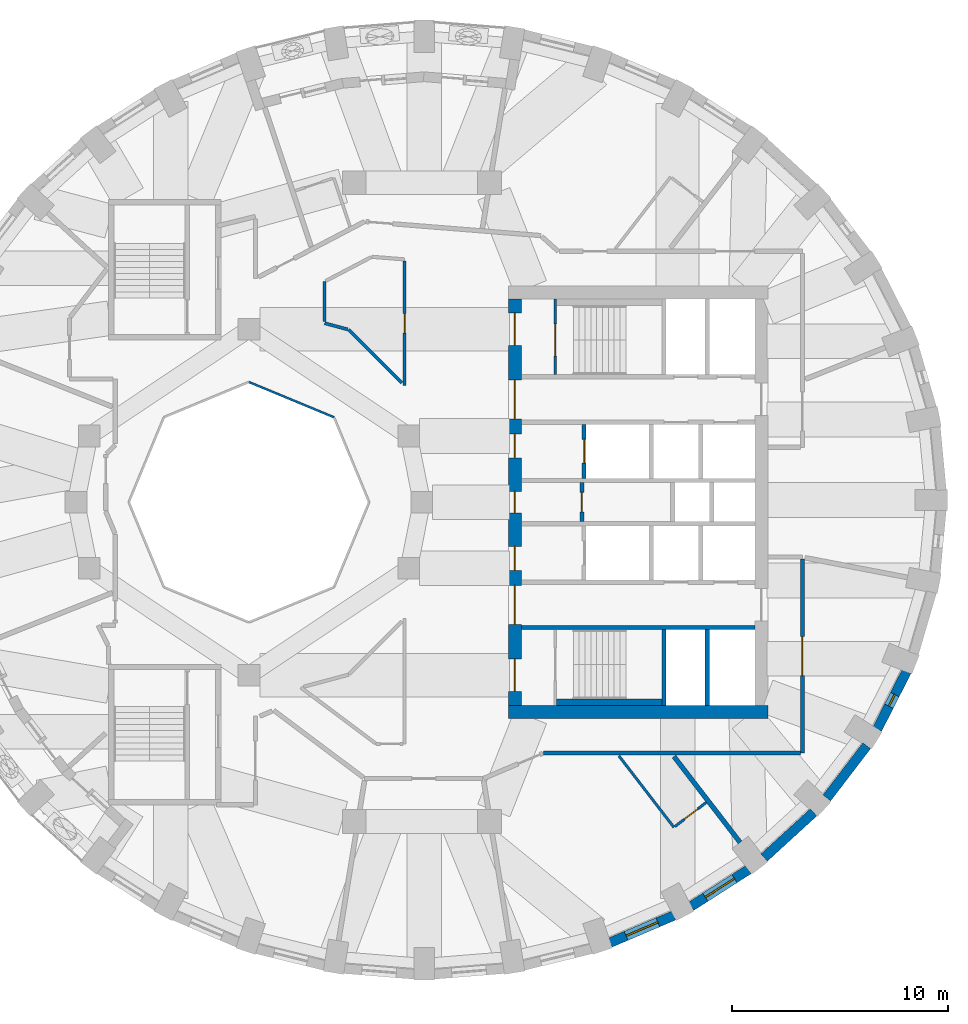
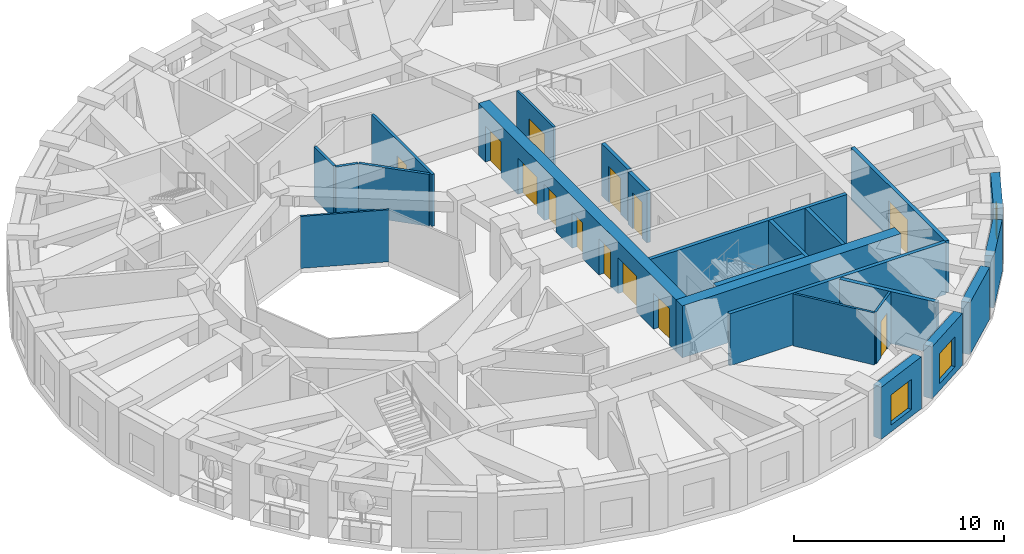
# One storey, part 5 of 11: 24 walls, 13 doors, 3 windows, 16 openings.
"""IFC4 building model written with IfcOpenShell, lengths in metres."""

from ifc_helpers import new_model, si_unit, direction, frame, frame_2d, origin, place, context, subcontext, project, spatial, rectangle, extrude, material, layer, layer_set, type_object, element, fill, save


model = new_model("IFC4")

# Units and contexts
model_context = context("Model", 3, precision=1e-05, world=origin(), true_north=direction((0.0, 1.0)))
body_context = subcontext(model_context, "Body", "Model", "MODEL_VIEW")
ifc_project = project(units=[si_unit("LENGTHUNIT", "METRE"), si_unit("AREAUNIT", "SQUARE_METRE"), si_unit("VOLUMEUNIT", "CUBIC_METRE"), si_unit("PLANEANGLEUNIT", "RADIAN"), si_unit("MASSUNIT", "GRAM", prefix="KILO")], contexts=[model_context])

# Site, building, storey
site_placement = place(None, origin())
site = spatial("IfcSite", under=ifc_project, at=site_placement, CompositionType="ELEMENT")
building_placement = place(site_placement, origin())
building = spatial("IfcBuilding", under=site, at=building_placement, Name="Taillehof Tower", CompositionType="ELEMENT")
storey_placement = place(building_placement, frame((0.0, 0.0, 178.10009765625)))
storey = spatial("IfcBuildingStorey", under=building, at=storey_placement, Name="L50", CompositionType="ELEMENT", Elevation=178.10009765625)

# Wall
ifc_material_1 = material(Name="Fire-resisting glass in steel frame", Category="steel")
ifc_layer_1 = layer(ifc_material_1, 0.10009765625)
ifc_layer_set_1 = layer_set([ifc_layer_1], Name="Atrium fire-resisting screen EI 60 100")
wall_type_1 = type_object("IfcWallType", Name="Atrium fire-resisting screen EI 60 100", PredefinedType="PARTITIONING", material=ifc_layer_set_1)
wall_1_placement = place(storey_placement, frame((-8.0, 5.55419921875, 0.0), z_axis=(0.0, 0.0, 1.0), x_axis=(0.923860025149, -0.382730523909, 0.0)))
element("IfcWall", 1, at=wall_1_placement, inside=storey, type_object=wall_type_1, Name="Atrium screen", PredefinedType="PARTITIONING", context=body_context, shape_type="SweptSolid", body=[
    extrude(rectangle(XDim=4.2509765625, YDim=0.10009765625, at=frame_2d((2.12548828125, 0.0))), origin(), (0.0, 0.0, 1.0), 3.02001953125),
])

# Wall, opening, window
ifc_material_2 = material(Name="Brick masonry", Category="masonry")
ifc_layer_2 = layer(ifc_material_2, 0.449951171875)
ifc_layer_set_2 = layer_set([ifc_layer_2], Name="Brick infill wall 450")
wall_type_2 = type_object("IfcWallType", Name="Brick infill wall 450", PredefinedType="SOLIDWALL", material=ifc_layer_set_2)
wall_2_placement = place(storey_placement, frame((8.706298828125, -20.37451171875, 0.0), z_axis=(0.0, 0.0, 1.0), x_axis=(0.91981046949, 0.392362969986, 0.0)))
wall_2 = element("IfcWall", 2, at=wall_2_placement, inside=storey, type_object=wall_type_2, Name="Brick wall L50 bay 30", PredefinedType="SOLIDWALL", context=body_context, shape_type="SweptSolid", body=[
    extrude(rectangle(XDim=3.20068359375, YDim=0.449951171875, at=frame_2d((1.600341796875, 0.0))), origin(), (0.0, 0.0, 1.0), 3.02001953125),
])
opening_1_placement = place(wall_2_placement, frame((0.80029296875, 0.0, 0.39990234375)))
opening_1 = element("IfcOpeningElement", 3, at=opening_1_placement, cuts=wall_2, Name="Opening W3", PredefinedType="OPENING", context=body_context, shape_type="SweptSolid", body=[
    extrude(rectangle(XDim=1.60009765625, YDim=1.75, at=frame_2d((0.800048828125, 0.875))), frame((0.0, 0.23486328125, 0.0), z_axis=(0.0, -1.0, 0.0), x_axis=(1.0, 0.0, 0.0)), (0.0, 0.0, 1.0), 0.469970703125),
])
ifc_material_3 = material(Name="Aluminium window frame with clear double glazing", Category="aluminium")
window_type_1 = type_object("IfcWindowType", Name="Deep-set window 1600x1750", PartitioningType="SINGLE_PANEL", PredefinedType="WINDOW", material=ifc_material_3)
window_1_placement = place(opening_1_placement, origin())
window_1 = element("IfcWindow", 4, at=window_1_placement, inside=storey, type_object=window_type_1, Name="W3", OverallHeight=1.75, OverallWidth=1.60009765625, PartitioningType="SINGLE_PANEL", PredefinedType="WINDOW", context=body_context, shape_type="SweptSolid", body=[
    extrude(rectangle(XDim=1.60009765625, YDim=1.75, at=frame_2d((0.800048828125, 0.875))), frame((0.0, 0.034912109375, 0.0), z_axis=(0.0, -1.0, 0.0), x_axis=(1.0, 0.0, 0.0)), (0.0, 0.0, 1.0), 0.06005859375),
])
fill(opening_1, window_1)

wall_3_placement = place(storey_placement, frame((12.454833984375, -18.693115234375, 0.0), z_axis=(0.0, 0.0, 1.0), x_axis=(0.842065914439, 0.539374633943, 0.0)))
wall_3 = element("IfcWall", 5, at=wall_3_placement, inside=storey, type_object=wall_type_2, Name="Brick wall L50 bay 31", PredefinedType="SOLIDWALL", context=body_context, shape_type="SweptSolid", body=[
    extrude(rectangle(XDim=3.1513671875, YDim=0.449951171875, at=frame_2d((1.57568359375, 0.0))), origin(), (0.0, 0.0, 1.0), 3.02001953125),
])
opening_2_placement = place(wall_3_placement, frame((0.775634765625, 0.0, 0.39990234375)))
opening_2 = element("IfcOpeningElement", 6, at=opening_2_placement, cuts=wall_3, Name="Opening W3", PredefinedType="OPENING", context=body_context, shape_type="SweptSolid", body=[
    extrude(rectangle(XDim=1.60009765625, YDim=1.75, at=frame_2d((0.800048828125, 0.875))), frame((0.0, 0.23486328125, 0.0), z_axis=(0.0, -1.0, 0.0), x_axis=(1.0, 0.0, 0.0)), (0.0, 0.0, 1.0), 0.469970703125),
])
window_2_placement = place(opening_2_placement, origin())
window_2 = element("IfcWindow", 7, at=window_2_placement, inside=storey, type_object=window_type_1, Name="W3", OverallHeight=1.75, OverallWidth=1.60009765625, PartitioningType="SINGLE_PANEL", PredefinedType="WINDOW", context=body_context, shape_type="SweptSolid", body=[
    extrude(rectangle(XDim=1.60009765625, YDim=1.75, at=frame_2d((0.800048828125, 0.875))), frame((0.0, 0.034912109375, 0.0), z_axis=(0.0, -1.0, 0.0), x_axis=(1.0, 0.0, 0.0)), (0.0, 0.0, 1.0), 0.06005859375),
])
fill(opening_2, window_2)

# Walls
wall_4_placement = place(storey_placement, frame((15.830078125, -16.438720703125, 0.0), z_axis=(0.0, 0.0, 1.0), x_axis=(0.737808755941, 0.675009807082, 0.0)))
element("IfcWall", 8, at=wall_4_placement, inside=storey, type_object=wall_type_2, Name="Brick wall L50 bay 32", PredefinedType="SOLIDWALL", context=body_context, shape_type="SweptSolid", body=[
    extrude(rectangle(XDim=3.094482421875, YDim=0.449951171875, at=frame_2d((1.54736328125, 0.0))), origin(), (0.0, 0.0, 1.0), 3.02001953125),
])
wall_5_placement = place(storey_placement, frame((18.72802734375, -13.6787109375, 0.0), z_axis=(0.0, 0.0, 1.0), x_axis=(0.607817056371, 0.794077090706, 0.0)))
element("IfcWall", 9, at=wall_5_placement, inside=storey, type_object=wall_type_2, Name="Brick wall L50 bay 33", PredefinedType="SOLIDWALL", context=body_context, shape_type="SweptSolid", body=[
    extrude(rectangle(XDim=3.037109375, YDim=0.449951171875, at=frame_2d((1.5185546875, 0.0))), origin(), (0.0, 0.0, 1.0), 3.02001953125),
])

# Wall, opening, window
wall_6_placement = place(storey_placement, frame((21.059326171875, -10.4970703125, 0.0), z_axis=(0.0, 0.0, 1.0), x_axis=(0.454133999889, 0.890933392653, 0.0)))
wall_6 = element("IfcWall", 10, at=wall_6_placement, inside=storey, type_object=wall_type_2, Name="Brick wall L50 bay 34", PredefinedType="SOLIDWALL", context=body_context, shape_type="SweptSolid", body=[
    extrude(rectangle(XDim=2.98583984375, YDim=0.449951171875, at=frame_2d((1.492919921875, 0.0))), origin(), (0.0, 0.0, 1.0), 3.02001953125),
])
opening_3_placement = place(wall_6_placement, frame((1.19287109375, 0.0, 0.39990234375)))
opening_3 = element("IfcOpeningElement", 11, at=opening_3_placement, cuts=wall_6, Name="Opening W6", PredefinedType="OPENING", context=body_context, shape_type="SweptSolid", body=[
    extrude(rectangle(XDim=0.60009765625, YDim=1.75, at=frame_2d((0.300048828125, 0.875))), frame((0.0, 0.23486328125, 0.0), z_axis=(0.0, -1.0, 0.0), x_axis=(1.0, 0.0, 0.0)), (0.0, 0.0, 1.0), 0.469970703125),
])
ifc_material_4 = material(Name="Aluminium window frame with clear double glazing", Category="aluminium")
window_type_2 = type_object("IfcWindowType", Name="Slot window 600x1750", PartitioningType="SINGLE_PANEL", PredefinedType="WINDOW", material=ifc_material_4)
window_3_placement = place(opening_3_placement, origin())
window_3 = element("IfcWindow", 12, at=window_3_placement, inside=storey, type_object=window_type_2, Name="W6", OverallHeight=1.75, OverallWidth=0.60009765625, PartitioningType="SINGLE_PANEL", PredefinedType="WINDOW", context=body_context, shape_type="SweptSolid", body=[
    extrude(rectangle(XDim=0.60009765625, YDim=1.75, at=frame_2d((0.300048828125, 0.875))), frame((0.0, 0.034912109375, 0.0), z_axis=(0.0, -1.0, 0.0), x_axis=(1.0, 0.0, 0.0)), (0.0, 0.0, 1.0), 0.06005859375),
])
fill(opening_3, window_3)

# Wall, opening, door
ifc_material_5 = material(Name="Calcium silicate masonry", Category="masonry")
ifc_layer_3 = layer(ifc_material_5, 0.199951171875)
ifc_layer_set_3 = layer_set([ifc_layer_3], Name="Compartment wall calcium silicate 200")
wall_type_3 = type_object("IfcWallType", Name="Compartment wall calcium silicate 200", PredefinedType="PARTITIONING", material=ifc_layer_set_3)
wall_7_placement = place(storey_placement, frame((7.39990234375, -0.89990234375, 0.0), z_axis=(0.0, 0.0, 1.0), x_axis=(0.0, 1.0, 0.0)))
wall_7 = element("IfcWall", 13, at=wall_7_placement, inside=storey, type_object=wall_type_3, Name="Compartment wall FW", PredefinedType="PARTITIONING", context=body_context, shape_type="SweptSolid", body=[
    extrude(rectangle(XDim=1.7998046875, YDim=0.199951171875, at=frame_2d((0.89990234375, 0.0))), origin(), (0.0, 0.0, 1.0), 3.02001953125),
])
opening_4_placement = place(wall_7_placement, frame((0.449951171875, 0.0, 0.0)))
opening_4 = element("IfcOpeningElement", 14, at=opening_4_placement, cuts=wall_7, Name="Opening D5014", PredefinedType="OPENING", context=body_context, shape_type="SweptSolid", body=[
    extrude(rectangle(XDim=0.89990234375, YDim=2.10009765625, at=frame_2d((0.449951171875, 1.050048828125))), frame((0.0, 0.10986328125, 0.0), z_axis=(0.0, -1.0, 0.0), x_axis=(1.0, 0.0, 0.0)), (0.0, 0.0, 1.0), 0.219970703125),
])
ifc_material_6 = material(Name="Steel-faced fire door", Category="steel")
door_type_1 = type_object("IfcDoorType", Name="Riser and service room door 900x2100", OperationType="SINGLE_SWING_LEFT", PredefinedType="DOOR", material=ifc_material_6)
door_1_placement = place(opening_4_placement, origin())
door_1 = element("IfcDoor", 15, at=door_1_placement, inside=storey, type_object=door_type_1, Name="Door Housekeeping Store", OperationType="SINGLE_SWING_RIGHT", OverallHeight=2.10009765625, OverallWidth=0.89990234375, PredefinedType="DOOR", context=body_context, shape_type="SweptSolid", body=[
    extrude(rectangle(XDim=0.89990234375, YDim=2.10009765625, at=frame_2d((0.449951171875, 1.050048828125))), frame((0.0, 0.02490234375, 0.0), z_axis=(0.0, -1.0, 0.0), x_axis=(1.0, 0.0, 0.0)), (0.0, 0.0, 1.0), 0.050048828125),
])
fill(opening_4, door_1)

ifc_material_7 = material(Name="Gypsum board on steel studs, two layers each side", Category="steel")
ifc_layer_4 = layer(ifc_material_7, 0.199951171875)
ifc_layer_set_4 = layer_set([ifc_layer_4], Name="Compartment wall corridor 200")
wall_type_4 = type_object("IfcWallType", Name="Compartment wall corridor 200", PredefinedType="PARTITIONING", material=ifc_layer_set_4)
wall_8_placement = place(storey_placement, frame((17.60009765625, -2.637939453125, 0.0), z_axis=(0.0, 0.0, 1.0), x_axis=(0.0, -1.0, 0.0)))
wall_8 = element("IfcWall", 16, at=wall_8_placement, inside=storey, type_object=wall_type_4, Name="Compartment wall", PredefinedType="PARTITIONING", context=body_context, shape_type="SweptSolid", body=[
    extrude(rectangle(XDim=8.962158203125, YDim=0.199951171875, at=frame_2d((4.48095703125, 0.0))), origin(), (0.0, 0.0, 1.0), 3.02001953125),
])
opening_5_placement = place(wall_8_placement, frame((3.5810546875, 0.0, 0.0)))
opening_5 = element("IfcOpeningElement", 17, at=opening_5_placement, cuts=wall_8, Name="Opening D5052", PredefinedType="OPENING", context=body_context, shape_type="SweptSolid", body=[
    extrude(rectangle(XDim=1.800048828125, YDim=2.10009765625, at=frame_2d((0.89990234375, 1.050048828125))), frame((0.0, 0.10986328125, 0.0), z_axis=(0.0, -1.0, 0.0), x_axis=(1.0, 0.0, 0.0)), (0.0, 0.0, 1.0), 0.219970703125),
])
ifc_material_8 = material(Name="Timber door leaf in steel frame", Category="steel")
door_type_2 = type_object("IfcDoorType", Name="Lounge and meeting room double door EI 30 1800 x 2100", OperationType="SINGLE_SWING_LEFT", PredefinedType="DOOR", material=ifc_material_8)
door_2_placement = place(opening_5_placement, origin())
door_2 = element("IfcDoor", 18, at=door_2_placement, inside=storey, type_object=door_type_2, Name="D5052", OperationType="DOUBLE_DOOR_SINGLE_SWING", OverallHeight=2.10009765625, OverallWidth=1.800048828125, PredefinedType="DOOR", context=body_context, shape_type="SweptSolid", body=[
    extrude(rectangle(XDim=1.800048828125, YDim=2.10009765625, at=frame_2d((0.89990234375, 1.050048828125))), frame((0.0, 0.02490234375, 0.0), z_axis=(0.0, -1.0, 0.0), x_axis=(1.0, 0.0, 0.0)), (0.0, 0.0, 1.0), 0.050048828125),
])
fill(opening_5, door_2)

# Walls
wall_9_placement = place(storey_placement, frame((17.5, -11.60009765625, 0.0), z_axis=(0.0, 0.0, 1.0), x_axis=(-1.0, 0.0, 0.0)))
element("IfcWall", 19, at=wall_9_placement, inside=storey, type_object=wall_type_4, Name="Compartment wall", PredefinedType="PARTITIONING", context=body_context, shape_type="SweptSolid", body=[
    extrude(rectangle(XDim=11.876220703125, YDim=0.199951171875, at=frame_2d((5.93798828125, 0.0))), origin(), (0.0, 0.0, 1.0), 3.02001953125),
])
ifc_material_9 = material(Name="Gypsum board on double steel studs with mineral wool", Category="steel")
ifc_layer_5 = layer(ifc_material_9, 0.219970703125)
ifc_layer_set_5 = layer_set([ifc_layer_5], Name="Compartment wall guest room 220")
wall_type_5 = type_object("IfcWallType", Name="Compartment wall guest room 220", PredefinedType="PARTITIONING", material=ifc_layer_set_5)
wall_10_placement = place(storey_placement, frame((14.7158203125, -15.7373046875, 0.0), z_axis=(0.0, 0.0, 1.0), x_axis=(-0.609986007715, 0.792412184657, 0.0)))
element("IfcWall", 20, at=wall_10_placement, inside=storey, type_object=wall_type_5, Name="Compartment wall", PredefinedType="PARTITIONING", context=body_context, shape_type="SweptSolid", body=[
    extrude(rectangle(XDim=5.0146484375, YDim=0.219970703125, at=frame_2d((2.50732421875, 0.0))), origin(), (0.0, 0.0, 1.0), 3.02001953125),
])
ifc_material_10 = material(Name="Calcium silicate masonry", Category="masonry")
ifc_layer_6 = layer(ifc_material_10, 0.300048828125)
ifc_layer_set_6 = layer_set([ifc_layer_6], Name="Compartment wall lining calcium silicate 300")
wall_type_6 = type_object("IfcWallType", Name="Compartment wall lining calcium silicate 300", PredefinedType="PARTITIONING", material=ifc_layer_set_6)
wall_11_placement = place(storey_placement, frame((6.219970703125, -9.25, 0.0), z_axis=(0.0, 0.0, 1.0), x_axis=(1.0, 0.0, 0.0)))
element("IfcWall", 21, at=wall_11_placement, inside=storey, type_object=wall_type_6, Name="Compartment wall FW", PredefinedType="PARTITIONING", context=body_context, shape_type="SweptSolid", body=[
    extrude(rectangle(XDim=4.880126953125, YDim=0.300048828125, at=frame_2d((2.43994140625, 0.0))), origin(), (0.0, 0.0, 1.0), 3.02001953125),
])

# Wall, opening, door
ifc_material_11 = material(Name="Gypsum board on steel studs, two layers each side", Category="steel")
ifc_layer_7 = layer(ifc_material_11, 0.14990234375)
ifc_layer_set_7 = layer_set([ifc_layer_7], Name="Compartment wall service room 150")
wall_type_7 = type_object("IfcWallType", Name="Compartment wall service room 150", PredefinedType="PARTITIONING", material=ifc_layer_set_7)
wall_12_placement = place(storey_placement, frame((-0.800048828125, 11.146728515625, 0.0), z_axis=(0.0, 0.0, 1.0), x_axis=(0.0, -1.0, 0.0)))
wall_12 = element("IfcWall", 22, at=wall_12_placement, inside=storey, type_object=wall_type_7, Name="Compartment wall", PredefinedType="PARTITIONING", context=body_context, shape_type="SweptSolid", body=[
    extrude(rectangle(XDim=5.76025390625, YDim=0.14990234375, at=frame_2d((2.880126953125, 0.0))), origin(), (0.0, 0.0, 1.0), 3.02001953125),
])
opening_6_placement = place(wall_12_placement, frame((2.43017578125, 0.0, 0.0)))
opening_6 = element("IfcOpeningElement", 23, at=opening_6_placement, cuts=wall_12, Name="Opening D5055", PredefinedType="OPENING", context=body_context, shape_type="SweptSolid", body=[
    extrude(rectangle(XDim=0.89990234375, YDim=2.10009765625, at=frame_2d((0.449951171875, 1.050048828125))), frame((0.0, 0.0849609375, 0.0), z_axis=(0.0, -1.0, 0.0), x_axis=(1.0, 0.0, 0.0)), (0.0, 0.0, 1.0), 0.169921875),
])
ifc_material_12 = material(Name="Timber door leaf in steel frame", Category="steel")
door_type_3 = type_object("IfcDoorType", Name="Service room door EI 30 900 x 2100", OperationType="SINGLE_SWING_LEFT", PredefinedType="DOOR", material=ifc_material_12)
door_3_placement = place(opening_6_placement, origin())
door_3 = element("IfcDoor", 24, at=door_3_placement, inside=storey, type_object=door_type_3, Name="D5055", OperationType="SINGLE_SWING_LEFT", OverallHeight=2.10009765625, OverallWidth=0.89990234375, PredefinedType="DOOR", context=body_context, shape_type="SweptSolid", body=[
    extrude(rectangle(XDim=0.89990234375, YDim=2.10009765625, at=frame_2d((0.449951171875, 1.050048828125))), frame((0.0, 0.02490234375, 0.0), z_axis=(0.0, -1.0, 0.0), x_axis=(1.0, 0.0, 0.0)), (0.0, 0.0, 1.0), 0.050048828125),
])
fill(opening_6, door_3)

# Walls
wall_13_placement = place(storey_placement, frame((-0.927490234375, 5.513916015625, 0.0), z_axis=(0.0, 0.0, 1.0), x_axis=(-0.707106781187, 0.707106781187, 0.0)))
element("IfcWall", 25, at=wall_13_placement, inside=storey, type_object=wall_type_7, Name="Compartment wall", PredefinedType="PARTITIONING", context=body_context, shape_type="SweptSolid", body=[
    extrude(rectangle(XDim=3.48681640625, YDim=0.14990234375, at=frame_2d((1.743408203125, 0.0))), origin(), (0.0, 0.0, 1.0), 3.02001953125),
])
wall_14_placement = place(storey_placement, frame((-3.431640625, 7.98974609375, 0.0), z_axis=(0.0, 0.0, 1.0), x_axis=(-0.965900750832, 0.258912609855, 0.0)))
element("IfcWall", 26, at=wall_14_placement, inside=storey, type_object=wall_type_7, Name="Compartment wall", PredefinedType="PARTITIONING", context=body_context, shape_type="SweptSolid", body=[
    extrude(rectangle(XDim=1.10595703125, YDim=0.14990234375, at=frame_2d((0.552978515625, 0.0))), origin(), (0.0, 0.0, 1.0), 3.02001953125),
])
wall_15_placement = place(storey_placement, frame((-4.5, 8.356201171875, 0.0), z_axis=(0.0, 0.0, 1.0), x_axis=(0.0, 1.0, 0.0)))
element("IfcWall", 27, at=wall_15_placement, inside=storey, type_object=wall_type_7, Name="Compartment wall", PredefinedType="PARTITIONING", context=body_context, shape_type="SweptSolid", body=[
    extrude(rectangle(XDim=1.84814453125, YDim=0.14990234375, at=frame_2d((0.924072265625, 0.0))), origin(), (0.0, 0.0, 1.0), 3.02001953125),
])

# Wall, openings, doors
ifc_material_13 = material(Name="Concrete C80/95", Category="concrete")
ifc_layer_8 = layer(ifc_material_13, 0.60009765625)
ifc_layer_set_8 = layer_set([ifc_layer_8], Name="Core wall C80/95 600")
wall_type_8 = type_object("IfcWallType", Name="Core wall C80/95 600", PredefinedType="SHEAR", material=ifc_layer_set_8)
wall_16_placement = place(storey_placement, frame((4.300048828125, -9.39990234375, 0.0), z_axis=(0.0, 0.0, 1.0), x_axis=(0.0, 1.0, 0.0)))
wall_16 = element("IfcWall", 28, at=wall_16_placement, inside=storey, type_object=wall_type_8, Name="Core wall CW01", PredefinedType="SHEAR", context=body_context, shape_type="SweptSolid", body=[
    extrude(rectangle(XDim=18.7998046875, YDim=0.60009765625, at=frame_2d((9.39990234375, 0.0))), origin(), (0.0, 0.0, 1.0), 3.02001953125),
])
opening_7_placement = place(wall_16_placement, frame((0.64990234375, 0.0, 0.0)))
opening_7 = element("IfcOpeningElement", 29, at=opening_7_placement, cuts=wall_16, Name="Opening D5001", PredefinedType="OPENING", context=body_context, shape_type="SweptSolid", body=[
    extrude(rectangle(XDim=1.5, YDim=2.10009765625, at=frame_2d((0.75, 1.050048828125))), frame((0.0, 0.31005859375, 0.0), z_axis=(0.0, -1.0, 0.0), x_axis=(1.0, 0.0, 0.0)), (0.0, 0.0, 1.0), 0.6201171875),
])
opening_8_placement = place(wall_16_placement, frame((3.75, 0.0, 0.0)))
opening_8 = element("IfcOpeningElement", 30, at=opening_8_placement, cuts=wall_16, Name="Opening D5002", PredefinedType="OPENING", context=body_context, shape_type="SweptSolid", body=[
    extrude(rectangle(XDim=1.800048828125, YDim=2.10009765625, at=frame_2d((0.89990234375, 1.050048828125))), frame((0.0, 0.31005859375, 0.0), z_axis=(0.0, -1.0, 0.0), x_axis=(1.0, 0.0, 0.0)), (0.0, 0.0, 1.0), 0.6201171875),
])
opening_9_placement = place(wall_16_placement, frame((6.25, 0.0, 0.0)))
opening_9 = element("IfcOpeningElement", 31, at=opening_9_placement, cuts=wall_16, Name="Opening D5003", PredefinedType="OPENING", context=body_context, shape_type="SweptSolid", body=[
    extrude(rectangle(XDim=1.10009765625, YDim=2.10009765625, at=frame_2d((0.550048828125, 1.050048828125))), frame((0.0, 0.31005859375, 0.0), z_axis=(0.0, -1.0, 0.0), x_axis=(1.0, 0.0, 0.0)), (0.0, 0.0, 1.0), 0.6201171875),
])
opening_10_placement = place(wall_16_placement, frame((8.89990234375, 0.0, 0.0)))
opening_10 = element("IfcOpeningElement", 32, at=opening_10_placement, cuts=wall_16, Name="Opening D5004", PredefinedType="OPENING", context=body_context, shape_type="SweptSolid", body=[
    extrude(rectangle(XDim=1.0, YDim=2.10009765625, at=frame_2d((0.5, 1.050048828125))), frame((0.0, 0.31005859375, 0.0), z_axis=(0.0, -1.0, 0.0), x_axis=(1.0, 0.0, 0.0)), (0.0, 0.0, 1.0), 0.6201171875),
])
opening_11_placement = place(wall_16_placement, frame((11.449951171875, 0.0, 0.0)))
opening_11 = element("IfcOpeningElement", 33, at=opening_11_placement, cuts=wall_16, Name="Opening D5005", PredefinedType="OPENING", context=body_context, shape_type="SweptSolid", body=[
    extrude(rectangle(XDim=1.10009765625, YDim=2.10009765625, at=frame_2d((0.550048828125, 1.050048828125))), frame((0.0, 0.31005859375, 0.0), z_axis=(0.0, -1.0, 0.0), x_axis=(1.0, 0.0, 0.0)), (0.0, 0.0, 1.0), 0.6201171875),
])
opening_12_placement = place(wall_16_placement, frame((13.25, 0.0, 0.0)))
opening_12 = element("IfcOpeningElement", 34, at=opening_12_placement, cuts=wall_16, Name="Opening D5006", PredefinedType="OPENING", context=body_context, shape_type="SweptSolid", body=[
    extrude(rectangle(XDim=1.800048828125, YDim=2.10009765625, at=frame_2d((0.89990234375, 1.050048828125))), frame((0.0, 0.31005859375, 0.0), z_axis=(0.0, -1.0, 0.0), x_axis=(1.0, 0.0, 0.0)), (0.0, 0.0, 1.0), 0.6201171875),
])
opening_13_placement = place(wall_16_placement, frame((16.64990234375, 0.0, 0.0)))
opening_13 = element("IfcOpeningElement", 35, at=opening_13_placement, cuts=wall_16, Name="Opening D5007", PredefinedType="OPENING", context=body_context, shape_type="SweptSolid", body=[
    extrude(rectangle(XDim=1.5, YDim=2.10009765625, at=frame_2d((0.75, 1.050048828125))), frame((0.0, 0.31005859375, 0.0), z_axis=(0.0, -1.0, 0.0), x_axis=(1.0, 0.0, 0.0)), (0.0, 0.0, 1.0), 0.6201171875),
])
ifc_material_14 = material(Name="Steel-faced fire door", Category="steel")
door_type_4 = type_object("IfcDoorType", Name="Firefighting lobby door 1100x2100", OperationType="SINGLE_SWING_RIGHT", PredefinedType="DOOR", material=ifc_material_14)
door_4_placement = place(opening_9_placement, origin())
door_4 = element("IfcDoor", 36, at=door_4_placement, inside=storey, type_object=door_type_4, Name="Firefighting lobby door FFL-S", OperationType="SINGLE_SWING_RIGHT", OverallHeight=2.10009765625, OverallWidth=1.10009765625, PredefinedType="DOOR", context=body_context, shape_type="SweptSolid", body=[
    extrude(rectangle(XDim=1.10009765625, YDim=2.10009765625, at=frame_2d((0.550048828125, 1.050048828125))), frame((0.0, 0.02490234375, 0.0), z_axis=(0.0, -1.0, 0.0), x_axis=(1.0, 0.0, 0.0)), (0.0, 0.0, 1.0), 0.050048828125),
])
fill(opening_9, door_4)
door_5_placement = place(opening_11_placement, origin())
door_5 = element("IfcDoor", 37, at=door_5_placement, inside=storey, type_object=door_type_4, Name="Firefighting lobby door FFL-N", OperationType="SINGLE_SWING_LEFT", OverallHeight=2.10009765625, OverallWidth=1.10009765625, PredefinedType="DOOR", context=body_context, shape_type="SweptSolid", body=[
    extrude(rectangle(XDim=1.10009765625, YDim=2.10009765625, at=frame_2d((0.550048828125, 1.050048828125))), frame((0.0, 0.02490234375, 0.0), z_axis=(0.0, -1.0, 0.0), x_axis=(1.0, 0.0, 0.0)), (0.0, 0.0, 1.0), 0.050048828125),
])
fill(opening_11, door_5)
ifc_material_15 = material(Name="Steel-faced fire door", Category="steel")
door_type_5 = type_object("IfcDoorType", Name="Lift lobby door 1800x2100", OperationType="DOUBLE_DOOR_SINGLE_SWING", PredefinedType="DOOR", material=ifc_material_15)
door_6_placement = place(opening_8_placement, origin())
door_6 = element("IfcDoor", 38, at=door_6_placement, inside=storey, type_object=door_type_5, Name="Lift lobby door LL-S", OperationType="DOUBLE_DOOR_SINGLE_SWING", OverallHeight=2.10009765625, OverallWidth=1.800048828125, PredefinedType="DOOR", context=body_context, shape_type="SweptSolid", body=[
    extrude(rectangle(XDim=1.800048828125, YDim=2.10009765625, at=frame_2d((0.89990234375, 1.050048828125))), frame((0.0, 0.02490234375, 0.0), z_axis=(0.0, -1.0, 0.0), x_axis=(1.0, 0.0, 0.0)), (0.0, 0.0, 1.0), 0.050048828125),
])
fill(opening_8, door_6)
door_7_placement = place(opening_12_placement, origin())
door_7 = element("IfcDoor", 39, at=door_7_placement, inside=storey, type_object=door_type_5, Name="Lift lobby door LL-N", OperationType="DOUBLE_DOOR_SINGLE_SWING", OverallHeight=2.10009765625, OverallWidth=1.800048828125, PredefinedType="DOOR", context=body_context, shape_type="SweptSolid", body=[
    extrude(rectangle(XDim=1.800048828125, YDim=2.10009765625, at=frame_2d((0.89990234375, 1.050048828125))), frame((0.0, 0.02490234375, 0.0), z_axis=(0.0, -1.0, 0.0), x_axis=(1.0, 0.0, 0.0)), (0.0, 0.0, 1.0), 0.050048828125),
])
fill(opening_12, door_7)
ifc_material_16 = material(Name="Steel-faced fire door", Category="steel")
door_type_6 = type_object("IfcDoorType", Name="Service door 1000x2100", OperationType="SINGLE_SWING_RIGHT", PredefinedType="DOOR", material=ifc_material_16)
door_8_placement = place(opening_10_placement, origin())
door_8 = element("IfcDoor", 40, at=door_8_placement, inside=storey, type_object=door_type_6, Name="Service door SV", OperationType="SINGLE_SWING_RIGHT", OverallHeight=2.10009765625, OverallWidth=1.0, PredefinedType="DOOR", context=body_context, shape_type="SweptSolid", body=[
    extrude(rectangle(XDim=1.0, YDim=2.10009765625, at=frame_2d((0.5, 1.050048828125))), frame((0.0, 0.02490234375, 0.0), z_axis=(0.0, -1.0, 0.0), x_axis=(1.0, 0.0, 0.0)), (0.0, 0.0, 1.0), 0.050048828125),
])
fill(opening_10, door_8)
ifc_material_17 = material(Name="Steel-faced fire door", Category="steel")
door_type_7 = type_object("IfcDoorType", Name="Stair door 1500x2100", OperationType="DOUBLE_DOOR_SINGLE_SWING", PredefinedType="DOOR", material=ifc_material_17)
door_9_placement = place(opening_7_placement, origin())
door_9 = element("IfcDoor", 41, at=door_9_placement, inside=storey, type_object=door_type_7, Name="Stair door S2", OperationType="DOUBLE_DOOR_SINGLE_SWING", OverallHeight=2.10009765625, OverallWidth=1.5, PredefinedType="DOOR", context=body_context, shape_type="SweptSolid", body=[
    extrude(rectangle(XDim=1.5, YDim=2.10009765625, at=frame_2d((0.75, 1.050048828125))), frame((0.0, 0.02490234375, 0.0), z_axis=(0.0, -1.0, 0.0), x_axis=(1.0, 0.0, 0.0)), (0.0, 0.0, 1.0), 0.050048828125),
])
fill(opening_7, door_9)
door_10_placement = place(opening_13_placement, origin())
door_10 = element("IfcDoor", 42, at=door_10_placement, inside=storey, type_object=door_type_7, Name="Stair door S1", OperationType="DOUBLE_DOOR_SINGLE_SWING", OverallHeight=2.10009765625, OverallWidth=1.5, PredefinedType="DOOR", context=body_context, shape_type="SweptSolid", body=[
    extrude(rectangle(XDim=1.5, YDim=2.10009765625, at=frame_2d((0.75, 1.050048828125))), frame((0.0, 0.02490234375, 0.0), z_axis=(0.0, -1.0, 0.0), x_axis=(1.0, 0.0, 0.0)), (0.0, 0.0, 1.0), 0.050048828125),
])
fill(opening_13, door_10)

# Walls
wall_17_placement = place(storey_placement, frame((4.0, -9.699951171875, 0.0), z_axis=(0.0, 0.0, 1.0), x_axis=(1.0, 0.0, 0.0)))
element("IfcWall", 43, at=wall_17_placement, inside=storey, type_object=wall_type_8, Name="Core wall CW07", PredefinedType="SHEAR", context=body_context, shape_type="SweptSolid", body=[
    extrude(rectangle(XDim=12.0, YDim=0.60009765625, at=frame_2d((6.0, 0.0))), origin(), (0.0, 0.0, 1.0), 3.02001953125),
])
ifc_material_18 = material(Name="Gypsum board on steel studs, moisture resistant", Category="steel")
ifc_layer_9 = layer(ifc_material_18, 0.1201171875)
ifc_layer_set_9 = layer_set([ifc_layer_9], Name="En-suite wall 120")
wall_type_9 = type_object("IfcWallType", Name="En-suite wall 120", PredefinedType="PARTITIONING", material=ifc_layer_set_9)
wall_18_placement = place(storey_placement, frame((9.108642578125, -11.73193359375, 0.0), z_axis=(0.0, 0.0, 1.0), x_axis=(0.609996270026, -0.79240428479, 0.0)))
element("IfcWall", 44, at=wall_18_placement, inside=storey, type_object=wall_type_9, Name="En-suite wall", PredefinedType="PARTITIONING", context=body_context, shape_type="SweptSolid", body=[
    extrude(rectangle(XDim=4.17333984375, YDim=0.1201171875, at=frame_2d((2.086669921875, 0.0))), origin(), (0.0, 0.0, 1.0), 3.02001953125),
])

# Wall, opening, door
wall_19_placement = place(storey_placement, frame((11.701904296875, -15.002197265625, 0.0), z_axis=(0.0, 0.0, 1.0), x_axis=(0.792395776304, 0.610007322657, 0.0)))
wall_19 = element("IfcWall", 45, at=wall_19_placement, inside=storey, type_object=wall_type_9, Name="En-suite wall", PredefinedType="PARTITIONING", context=body_context, shape_type="SweptSolid", body=[
    extrude(rectangle(XDim=1.829833984375, YDim=0.1201171875, at=frame_2d((0.9150390625, 0.0))), origin(), (0.0, 0.0, 1.0), 3.02001953125),
])
opening_14_placement = place(wall_19_placement, frame((0.5400390625, 0.0, 0.0)))
opening_14 = element("IfcOpeningElement", 46, at=opening_14_placement, cuts=wall_19, Name="Opening D5051", PredefinedType="OPENING", context=body_context, shape_type="SweptSolid", body=[
    extrude(rectangle(XDim=0.800048828125, YDim=2.10009765625, at=frame_2d((0.39990234375, 1.050048828125))), frame((0.0, 0.070068359375, 0.0), z_axis=(0.0, -1.0, 0.0), x_axis=(1.0, 0.0, 0.0)), (0.0, 0.0, 1.0), 0.14013671875),
])
ifc_material_19 = material(Name="Timber door leaf in steel frame", Category="steel")
door_type_8 = type_object("IfcDoorType", Name="En-suite door 800 x 2100", OperationType="SINGLE_SWING_LEFT", PredefinedType="DOOR", material=ifc_material_19)
door_11_placement = place(opening_14_placement, origin())
door_11 = element("IfcDoor", 47, at=door_11_placement, inside=storey, type_object=door_type_8, Name="D5051", OperationType="SINGLE_SWING_LEFT", OverallHeight=2.10009765625, OverallWidth=0.800048828125, PredefinedType="DOOR", context=body_context, shape_type="SweptSolid", body=[
    extrude(rectangle(XDim=0.800048828125, YDim=2.10009765625, at=frame_2d((0.39990234375, 1.050048828125))), frame((0.0, 0.02490234375, 0.0), z_axis=(0.0, -1.0, 0.0), x_axis=(1.0, 0.0, 0.0)), (0.0, 0.0, 1.0), 0.050048828125),
])
fill(opening_14, door_11)

# Walls
ifc_material_20 = material(Name="Concrete C50/60", Category="concrete")
ifc_layer_10 = layer(ifc_material_20, 0.199951171875)
ifc_layer_set_10 = layer_set([ifc_layer_10], Name="Shaft wall C50/60 200")
wall_type_10 = type_object("IfcWallType", Name="Shaft wall C50/60 200", PredefinedType="SHEAR", material=ifc_layer_set_10)
wall_20_placement = place(storey_placement, frame((4.60009765625, -5.800048828125, 0.0), z_axis=(0.0, 0.0, 1.0), x_axis=(1.0, 0.0, 0.0)))
element("IfcWall", 48, at=wall_20_placement, inside=storey, type_object=wall_type_10, Name="Shaft wall SW", PredefinedType="SHEAR", context=body_context, shape_type="SweptSolid", body=[
    extrude(rectangle(XDim=10.7998046875, YDim=0.199951171875, at=frame_2d((5.39990234375, 0.0))), origin(), (0.0, 0.0, 1.0), 3.02001953125),
])
for number, where, z_axis, x_axis, name in (
    (49, (11.199951171875, -9.39990234375, 0.0), (0.0, 0.0, 1.0), (0.0, 1.0, 0.0), "Shaft wall SW"),
    (50, (13.199951171875, -9.39990234375, 0.0), (0.0, 0.0, 1.0), (0.0, 1.0, 0.0), "Shaft wall SW"),
):
    element("IfcWall", number, at=place(storey_placement, frame(where, z_axis=z_axis, x_axis=x_axis)), inside=storey, type_object=wall_type_10, Name=name, PredefinedType="SHEAR", context=body_context, shape_type="SweptSolid", body=[
        extrude(rectangle(XDim=3.5, YDim=0.199951171875, at=frame_2d((1.75, 0.0))), origin(), (0.0, 0.0, 1.0), 3.02001953125),
    ])

# Wall, opening, door
wall_21_placement = place(storey_placement, frame((7.5, 1.10009765625, 0.0), z_axis=(0.0, 0.0, 1.0), x_axis=(0.0, 1.0, 0.0)))
wall_21 = element("IfcWall", 51, at=wall_21_placement, inside=storey, type_object=wall_type_10, Name="Shaft wall SW", PredefinedType="SHEAR", context=body_context, shape_type="SweptSolid", body=[
    extrude(rectangle(XDim=2.5, YDim=0.199951171875, at=frame_2d((1.25, 0.0))), origin(), (0.0, 0.0, 1.0), 3.02001953125),
])
opening_15_placement = place(wall_21_placement, frame((0.699951171875, 0.0, 0.0)))
opening_15 = element("IfcOpeningElement", 52, at=opening_15_placement, cuts=wall_21, Name="Opening LD1", PredefinedType="OPENING", context=body_context, shape_type="SweptSolid", body=[
    extrude(rectangle(XDim=1.10009765625, YDim=2.10009765625, at=frame_2d((0.550048828125, 1.050048828125))), frame((0.0, 0.10986328125, 0.0), z_axis=(0.0, -1.0, 0.0), x_axis=(1.0, 0.0, 0.0)), (0.0, 0.0, 1.0), 0.219970703125),
])
ifc_material_21 = material(Name="Stainless steel", Category="steel")
door_type_9 = type_object("IfcDoorType", Name="Lift landing door LD1 1100x2100", OperationType="DOUBLE_DOOR_SLIDING", PredefinedType="DOOR", material=ifc_material_21)
door_12_placement = place(opening_15_placement, origin())
door_12 = element("IfcDoor", 53, at=door_12_placement, inside=storey, type_object=door_type_9, Name="Landing door FF1", OperationType="DOUBLE_DOOR_SLIDING", OverallHeight=2.10009765625, OverallWidth=1.10009765625, PredefinedType="DOOR", context=body_context, shape_type="SweptSolid", body=[
    extrude(rectangle(XDim=1.10009765625, YDim=2.10009765625, at=frame_2d((0.550048828125, 1.050048828125))), frame((0.0, 0.02490234375, 0.0), z_axis=(0.0, -1.0, 0.0), x_axis=(1.0, 0.0, 0.0)), (0.0, 0.0, 1.0), 0.050048828125),
])
fill(opening_15, door_12)

ifc_material_22 = material(Name="Concrete C50/60", Category="concrete")
ifc_layer_11 = layer(ifc_material_22, 0.1201171875)
ifc_layer_set_11 = layer_set([ifc_layer_11], Name="Stair lobby wall C50/60 120")
wall_type_11 = type_object("IfcWallType", Name="Stair lobby wall C50/60 120", PredefinedType="SHEAR", material=ifc_layer_set_11)
wall_22_placement = place(storey_placement, frame((6.159912109375, 5.89990234375, 0.0), z_axis=(0.0, 0.0, 1.0), x_axis=(0.0, 1.0, 0.0)))
wall_22 = element("IfcWall", 54, at=wall_22_placement, inside=storey, type_object=wall_type_11, Name="Compartment wall SW", PredefinedType="SHEAR", context=body_context, shape_type="SweptSolid", body=[
    extrude(rectangle(XDim=3.5, YDim=0.1201171875, at=frame_2d((1.75, 0.0))), origin(), (0.0, 0.0, 1.0), 3.02001953125),
])
opening_16_placement = place(wall_22_placement, frame((0.85009765625, 0.0, 0.0)))
opening_16 = element("IfcOpeningElement", 55, at=opening_16_placement, cuts=wall_22, Name="Opening D5010", PredefinedType="OPENING", context=body_context, shape_type="SweptSolid", body=[
    extrude(rectangle(XDim=1.5, YDim=2.10009765625, at=frame_2d((0.75, 1.050048828125))), frame((0.0, 0.070068359375, 0.0), z_axis=(0.0, -1.0, 0.0), x_axis=(1.0, 0.0, 0.0)), (0.0, 0.0, 1.0), 0.14013671875),
])
door_13_placement = place(opening_16_placement, origin())
door_13 = element("IfcDoor", 56, at=door_13_placement, inside=storey, type_object=door_type_7, Name="Stair lobby door S1", OperationType="DOUBLE_DOOR_SINGLE_SWING", OverallHeight=2.10009765625, OverallWidth=1.5, PredefinedType="DOOR", context=body_context, shape_type="SweptSolid", body=[
    extrude(rectangle(XDim=1.5, YDim=2.10009765625, at=frame_2d((0.75, 1.050048828125))), frame((0.0, 0.02490234375, 0.0), z_axis=(0.0, -1.0, 0.0), x_axis=(1.0, 0.0, 0.0)), (0.0, 0.0, 1.0), 0.050048828125),
])
fill(opening_16, door_13)

save(model, "model.ifc")
